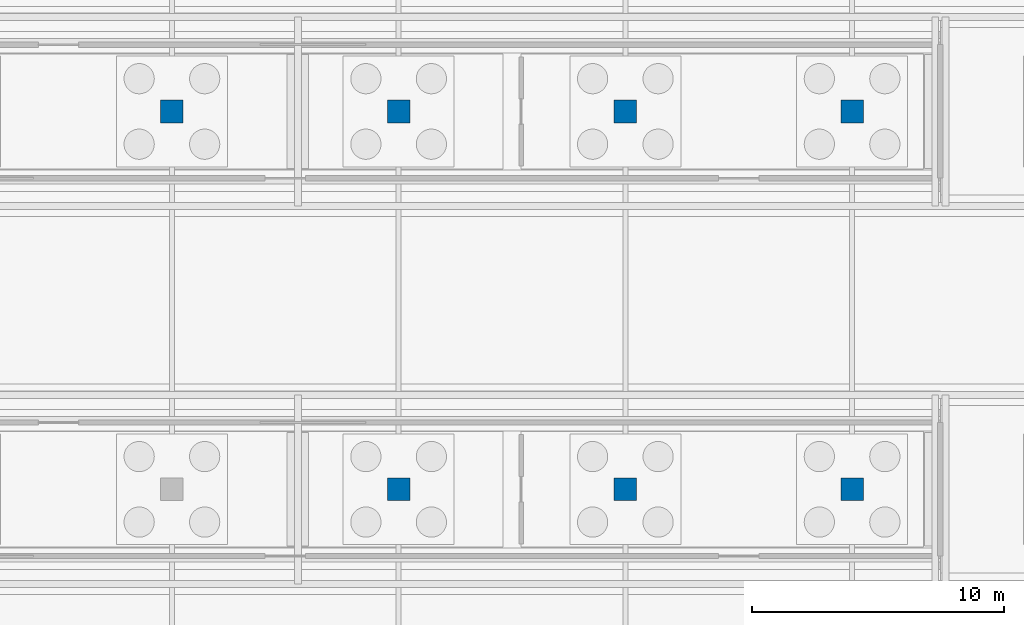
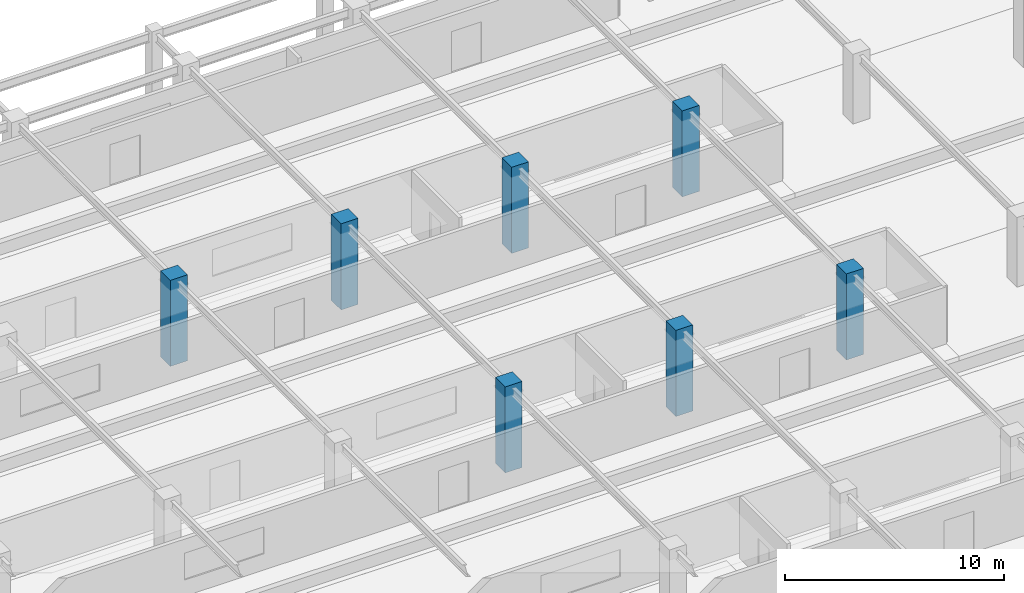
# One storey, part 33 of 160: 7 columns.
"""IFC4 building model written with IfcOpenShell, lengths in metres."""

from ifc_helpers import new_model, si_unit, direction, frame, origin, origin_2d, place, context, subcontext, project, spatial, rectangle, extrude, material, material_profile, profile_set, type_object, element, save


model = new_model("IFC4")

# Units and contexts
model_context = context("Model", 3, precision=1e-05, world=origin(), true_north=direction((0.0, 1.0)))
body_context = subcontext(model_context, "Body", "Model", "MODEL_VIEW")
ifc_project = project(units=[si_unit("LENGTHUNIT", "METRE"), si_unit("AREAUNIT", "SQUARE_METRE"), si_unit("VOLUMEUNIT", "CUBIC_METRE"), si_unit("PLANEANGLEUNIT", "RADIAN"), si_unit("MASSUNIT", "GRAM", prefix="KILO")], contexts=[model_context])

# Site, building, storey
site_placement = place(None, origin())
site = spatial("IfcSite", under=ifc_project, at=site_placement, CompositionType="ELEMENT")
building_placement = place(site_placement, origin())
building = spatial("IfcBuilding", under=site, at=building_placement, Name="Marlcrest Central Station", CompositionType="ELEMENT")
storey_placement = place(building_placement, origin())
storey = spatial("IfcBuildingStorey", under=building, at=storey_placement, Name="L00", CompositionType="ELEMENT", Elevation=0.0)

# Columns
ifc_material = material(Name="Concrete C50/60", Category="concrete")
ifc_material_profile = material_profile(ifc_material, rectangle(XDim=0.89990234375, YDim=0.89990234375, at=origin_2d()), Name="RC 900x900")
ifc_profile_set = profile_set([ifc_material_profile], Name="Concrete C50/60")
column_type = type_object("IfcColumnType", Name="RC-08", PredefinedType="COLUMN", material=ifc_profile_set)
for number, where, z_axis, x_axis, name in (
    (1, (162.0, 81.0, 0.0), (0.0, 0.0, 1.0), (1.0, 0.0, 0.0), "col-RC-08-L00-0540"),
    (2, (171.0, 66.0, 0.0), (0.0, 0.0, 1.0), (1.0, 0.0, 0.0), "col-RC-08-L00-0549"),
    (3, (171.0, 81.0, 0.0), (0.0, 0.0, 1.0), (1.0, 0.0, 0.0), "col-RC-08-L00-0551"),
    (4, (180.0, 66.0, 0.0), (0.0, 0.0, 1.0), (1.0, 0.0, 0.0), "col-RC-08-L00-0560"),
    (5, (180.0, 81.0, 0.0), (0.0, 0.0, 1.0), (1.0, 0.0, 0.0), "col-RC-08-L00-0562"),
    (6, (189.0, 66.0, 0.0), (0.0, 0.0, 1.0), (1.0, 0.0, 0.0), "col-RC-08-L00-0571"),
    (7, (189.0, 81.0, 0.0), (0.0, 0.0, 1.0), (1.0, 0.0, 0.0), "col-RC-08-L00-0573"),
):
    element("IfcColumn", number, at=place(storey_placement, frame(where, z_axis=z_axis, x_axis=x_axis)), inside=storey, type_object=column_type, Name=name, PredefinedType="COLUMN", context=body_context, shape_type="SweptSolid", body=[
        extrude(rectangle(XDim=0.89990234375, YDim=0.89990234375, at=origin_2d()), origin(), (0.0, 0.0, 1.0), 4.800048828125),
    ])

save(model, "model.ifc")
